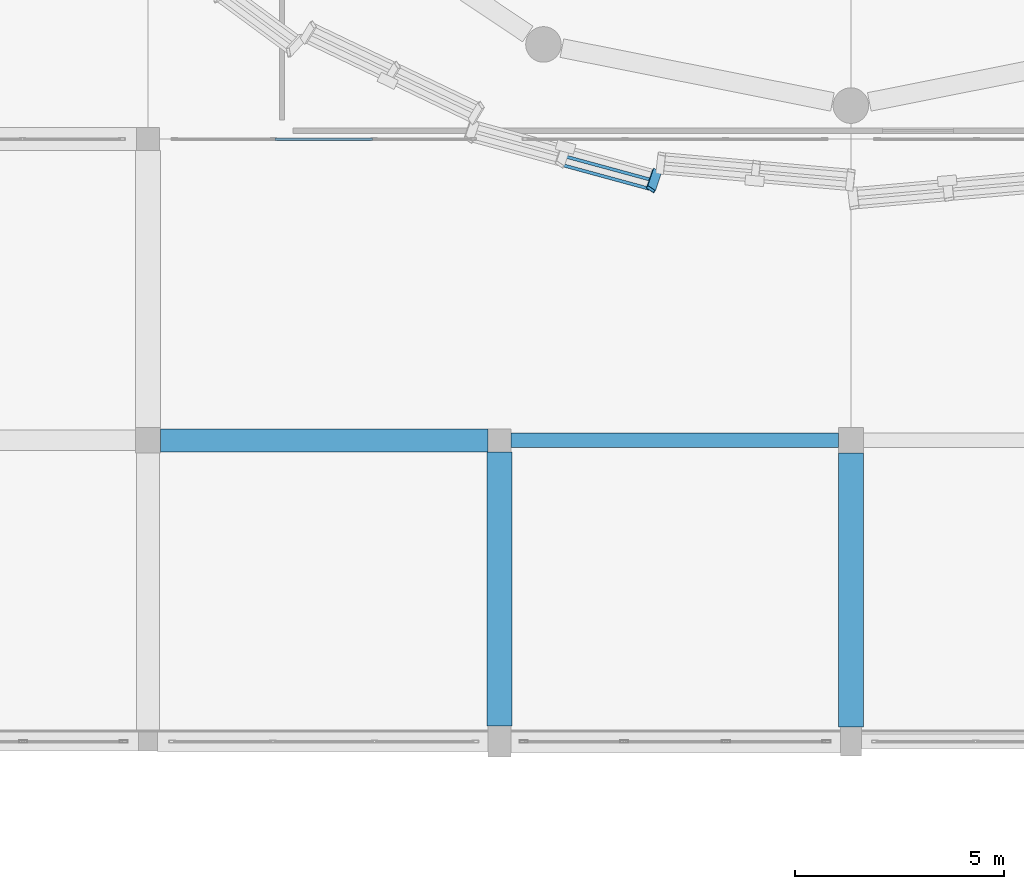
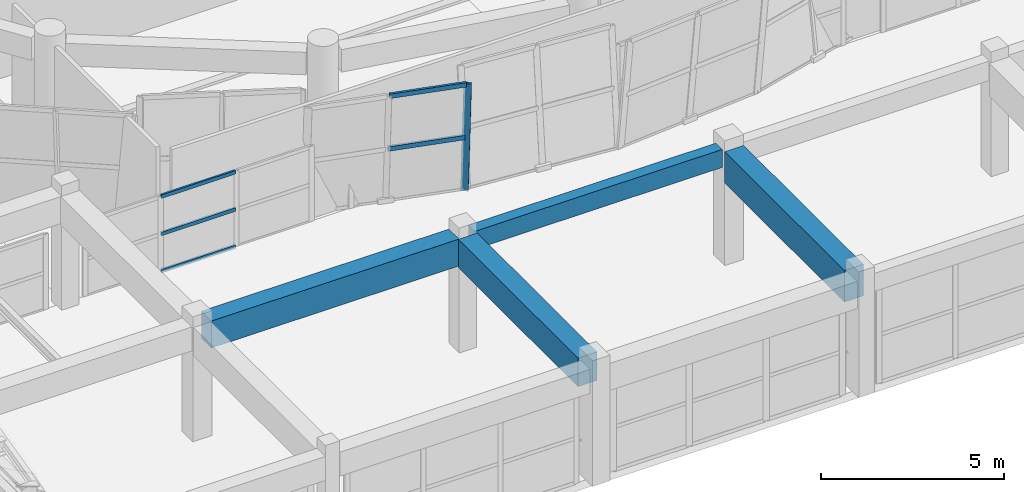
# One storey, part 18 of 74: 6 members, 4 beams, 2 elements without a shape of their own.
"""IFC4 building model written with IfcOpenShell, lengths in metres."""

from ifc_helpers import new_model, si_unit, direction, frame, origin, origin_2d, place, context, subcontext, project, spatial, rectangle, hollow_rectangle, extrude, material, material_profile, profile_set, type_object, element, aggregate, save


model = new_model("IFC4")

# Units and contexts
model_context = context("Model", 3, precision=1e-05, world=origin(), true_north=direction((0.0, 1.0)))
body_context = subcontext(model_context, "Body", "Model", "MODEL_VIEW")
ifc_project = project(units=[si_unit("LENGTHUNIT", "METRE"), si_unit("AREAUNIT", "SQUARE_METRE"), si_unit("VOLUMEUNIT", "CUBIC_METRE"), si_unit("PLANEANGLEUNIT", "RADIAN"), si_unit("MASSUNIT", "GRAM", prefix="KILO")], contexts=[model_context])

# Site, building, storey
site_placement = place(None, origin())
site = spatial("IfcSite", under=ifc_project, at=site_placement, CompositionType="ELEMENT")
building_placement = place(site_placement, origin())
building = spatial("IfcBuilding", under=site, at=building_placement, Name="Korsvaeld Concert Hall", CompositionType="ELEMENT")
storey_placement = place(building_placement, frame((0.0, 0.0, 9.0)))
storey = spatial("IfcBuildingStorey", under=building, at=storey_placement, Name="L02", CompositionType="ELEMENT", Elevation=9.0)

# Beams
ifc_material_1 = material(Name="Concrete C35/45", Category="concrete")
ifc_material_profile_1 = material_profile(ifc_material_1, rectangle(XDim=0.35009765625, YDim=0.60009765625, at=origin_2d()), Name="RC 350x600")
ifc_profile_set_1 = profile_set([ifc_material_profile_1], Name="Concrete C35/45")
beam_type_1 = type_object("IfcBeamType", Name="BM-RC-350x600", PredefinedType="T_BEAM", material=ifc_profile_set_1)
beam_1_placement = place(storey_placement, frame((75.875, 36.0, 3.5400390625), z_axis=(1.0, 0.0, 0.0), x_axis=(0.0, 1.0, 0.0)))
element("IfcBeam", 1, at=beam_1_placement, inside=storey, type_object=beam_type_1, Name="Primary girder 11-12/F L02", PredefinedType="T_BEAM", context=body_context, shape_type="SweptSolid", body=[
    extrude(rectangle(XDim=0.35009765625, YDim=0.60009765625, at=origin_2d()), origin(), (0.0, 0.0, 1.0), 7.824951171875),
])
ifc_material_2 = material(Name="Concrete C40/50", Category="concrete")
ifc_material_profile_2 = material_profile(ifc_material_2, rectangle(XDim=0.550048828125, YDim=0.89990234375, at=origin_2d()), Name="RC 550x900")
ifc_profile_set_2 = profile_set([ifc_material_profile_2], Name="Concrete C40/50")
beam_type_2 = type_object("IfcBeamType", Name="BM-RC-550x900", PredefinedType="T_BEAM", material=ifc_profile_set_2)
beam_2_placement = place(storey_placement, frame((67.5, 36.0, 3.389892578125), z_axis=(1.0, 0.0, 0.0), x_axis=(0.0, 1.0, 0.0)))
element("IfcBeam", 2, at=beam_2_placement, inside=storey, type_object=beam_type_2, Name="Primary girder 10-11/F L02", PredefinedType="T_BEAM", context=body_context, shape_type="SweptSolid", body=[
    extrude(rectangle(XDim=0.550048828125, YDim=0.89990234375, at=origin_2d()), origin(), (0.0, 0.0, 1.0), 7.824951171875),
])
ifc_material_profile_3 = material_profile(ifc_material_2, rectangle(XDim=0.60009765625, YDim=1.050048828125, at=origin_2d()), Name="RC 600x1050")
ifc_profile_set_3 = profile_set([ifc_material_profile_3], Name="Concrete C40/50")
beam_type_3 = type_object("IfcBeamType", Name="BM-RC-600x1050", PredefinedType="T_BEAM", material=ifc_profile_set_3)
beam_3_placement = place(storey_placement, frame((84.0, 29.14990234375, 3.31494140625), z_axis=(0.0, 1.0, 0.0), x_axis=(-1.0, 0.0, 0.0)))
element("IfcBeam", 3, at=beam_3_placement, inside=storey, type_object=beam_type_3, Name="Primary girder 12/E-F L02", PredefinedType="T_BEAM", context=body_context, shape_type="SweptSolid", body=[
    extrude(rectangle(XDim=0.60009765625, YDim=1.050048828125, at=origin_2d()), origin(), (0.0, 0.0, 1.0), 6.550048828125),
])
ifc_material_profile_4 = material_profile(ifc_material_2, rectangle(XDim=0.60009765625, YDim=0.949951171875, at=origin_2d()), Name="RC 600x950")
ifc_profile_set_4 = profile_set([ifc_material_profile_4], Name="Concrete C40/50")
beam_type_4 = type_object("IfcBeamType", Name="BM-RC-600x950", PredefinedType="T_BEAM", material=ifc_profile_set_4)
beam_4_placement = place(storey_placement, frame((75.60009765625, 29.175048828125, 3.364990234375), z_axis=(0.0, 1.0, 0.0), x_axis=(-1.0, 0.0, 0.0)))
element("IfcBeam", 4, at=beam_4_placement, inside=storey, type_object=beam_type_4, Name="Primary girder 11/E-F L02", PredefinedType="T_BEAM", context=body_context, shape_type="SweptSolid", body=[
    extrude(rectangle(XDim=0.60009765625, YDim=0.949951171875, at=origin_2d()), origin(), (0.0, 0.0, 1.0), 6.550048828125),
])

# Curtain wall, member
ifc_material_3 = material(Name="Anodised bronze and ceramic-fritted safety glass", Category="glass")
curtain_wall_type_1 = type_object("IfcCurtainWallType", Name="CW-TYPE-07", PredefinedType="USERDEFINED", material=ifc_material_3)
curtain_wall_1_placement = place(storey_placement, origin())
curtain_wall_1 = element("IfcCurtainWall", 5, at=curtain_wall_1_placement, inside=storey, type_object=curtain_wall_type_1, Name="Crystal curtain-wall facet L02 F23", ObjectType="CURTAIN WALL", PredefinedType="USERDEFINED")
ifc_material_4 = material(Name="Anodised architectural bronze aluminium", Category="aluminium")
ifc_material_profile_5 = material_profile(ifc_material_4, hollow_rectangle(XDim=0.074951171875, YDim=0.219970703125, WallThickness=0.006103515625, at=origin_2d()), Name="CWM 220x75x6")
ifc_profile_set_5 = profile_set([ifc_material_profile_5], Name="Anodised architectural bronze aluminium")
member_type_1 = type_object("IfcMemberType", Name="CWM-BRONZE-220x75", PredefinedType="MULLION", material=ifc_profile_set_5)
member_1_placement = place(storey_placement, frame((79.359619140625, 42.417236328125, 0.0), z_axis=(-0.036199370674, -0.107222660976, 0.993575818212), x_axis=(0.55573373549, 0.824159071594, 0.109187178494)))
member_1 = element("IfcMember", 6, at=member_1_placement, type_object=member_type_1, Name="CW-CRYS-L02-F23 crystal mullion 3", PredefinedType="MULLION", context=body_context, shape_type="SweptSolid", body=[
    extrude(hollow_rectangle(XDim=0.074951171875, YDim=0.219970703125, WallThickness=0.006103515625, at=origin_2d()), origin(), (0.0, 0.0, 1.0), 3.905029296875),
])

# Curtain wall, members
curtain_wall_type_2 = type_object("IfcCurtainWallType", Name="CW-TYPE-08", PredefinedType="USERDEFINED", material=ifc_material_3)
curtain_wall_2_placement = place(storey_placement, origin())
curtain_wall_2 = element("IfcCurtainWall", 7, at=curtain_wall_2_placement, inside=storey, type_object=curtain_wall_type_2, Name="Glazed foyer acoustic screen L02-32", ObjectType="CURTAIN WALL", PredefinedType="USERDEFINED")
ifc_material_profile_6 = material_profile(ifc_material_4, hollow_rectangle(XDim=0.06005859375, YDim=0.1201171875, WallThickness=0.00390625, at=origin_2d()), Name="CWT 120x60x4")
ifc_profile_set_6 = profile_set([ifc_material_profile_6], Name="Anodised architectural bronze aluminium")
member_type_2 = type_object("IfcMemberType", Name="CWT-ALUM-120x60", PredefinedType="USERDEFINED", material=ifc_profile_set_6)
member_2_placement = place(storey_placement, frame((70.22998046875, 43.199951171875, 0.030029296875), z_axis=(1.0, 0.0, 0.0), x_axis=(0.0, 1.0, 0.0)))
member_2 = element("IfcMember", 8, at=member_2_placement, type_object=member_type_2, Name="CW-08 transom 2.1", ObjectType="TRANSOM", PredefinedType="USERDEFINED", context=body_context, shape_type="SweptSolid", body=[
    extrude(hollow_rectangle(XDim=0.06005859375, YDim=0.1201171875, WallThickness=0.00390625, at=origin_2d()), origin(), (0.0, 0.0, 1.0), 2.340087890625),
])
member_3_placement = place(storey_placement, frame((70.22998046875, 43.199951171875, 1.27490234375), z_axis=(1.0, 0.0, 0.0), x_axis=(0.0, 1.0, 0.0)))
member_3 = element("IfcMember", 9, at=member_3_placement, type_object=member_type_2, Name="CW-08 transom 2.2", ObjectType="TRANSOM", PredefinedType="USERDEFINED", context=body_context, shape_type="SweptSolid", body=[
    extrude(hollow_rectangle(XDim=0.06005859375, YDim=0.1201171875, WallThickness=0.00390625, at=origin_2d()), origin(), (0.0, 0.0, 1.0), 2.340087890625),
])
member_4_placement = place(storey_placement, frame((70.22998046875, 43.199951171875, 2.52001953125), z_axis=(1.0, 0.0, 0.0), x_axis=(0.0, 1.0, 0.0)))
member_4 = element("IfcMember", 10, at=member_4_placement, type_object=member_type_2, Name="CW-08 transom 2.3", ObjectType="TRANSOM", PredefinedType="USERDEFINED", context=body_context, shape_type="SweptSolid", body=[
    extrude(hollow_rectangle(XDim=0.06005859375, YDim=0.1201171875, WallThickness=0.00390625, at=origin_2d()), origin(), (0.0, 0.0, 1.0), 2.340087890625),
])
aggregate(curtain_wall_2, [member_2, member_3, member_4])

# Member
ifc_material_profile_7 = material_profile(ifc_material_4, hollow_rectangle(XDim=0.074951171875, YDim=0.14990234375, WallThickness=0.0048828125, at=origin_2d()), Name="CWT 150x75x5")
ifc_profile_set_7 = profile_set([ifc_material_profile_7], Name="Anodised architectural bronze aluminium")
member_type_3 = type_object("IfcMemberType", Name="CWT-BRONZE-150x75", PredefinedType="USERDEFINED", material=ifc_profile_set_7)
member_5_placement = place(storey_placement, frame((77.147705078125, 42.791259765625, 1.93994140625), z_axis=(0.964841242841, -0.262833361873, 0.0), x_axis=(0.262833361873, 0.964841242841, 0.0)))
member_5 = element("IfcMember", 11, at=member_5_placement, type_object=member_type_3, Name="CW-CRYS-L02-F23 crystal transom 2.2", ObjectType="TRANSOM", PredefinedType="USERDEFINED", context=body_context, shape_type="SweptSolid", body=[
    extrude(hollow_rectangle(XDim=0.074951171875, YDim=0.14990234375, WallThickness=0.0048828125, at=origin_2d()), origin(), (0.0, 0.0, 1.0), 2.181884765625),
])

member_6_placement = place(storey_placement, frame((77.078125, 42.585205078125, 3.85009765625), z_axis=(0.964805126409, -0.262965906641, 0.0), x_axis=(0.262965906641, 0.964805126409, 0.0)))
member_6 = element("IfcMember", 12, at=member_6_placement, type_object=member_type_3, Name="CW-CRYS-L02-F23 crystal transom 2.3", ObjectType="TRANSOM", PredefinedType="USERDEFINED", context=body_context, shape_type="SweptSolid", body=[
    extrude(hollow_rectangle(XDim=0.074951171875, YDim=0.14990234375, WallThickness=0.0048828125, at=origin_2d()), origin(), (0.0, 0.0, 1.0), 2.181884765625),
])

aggregate(curtain_wall_1, [member_1, member_5, member_6])

save(model, "model.ifc")
